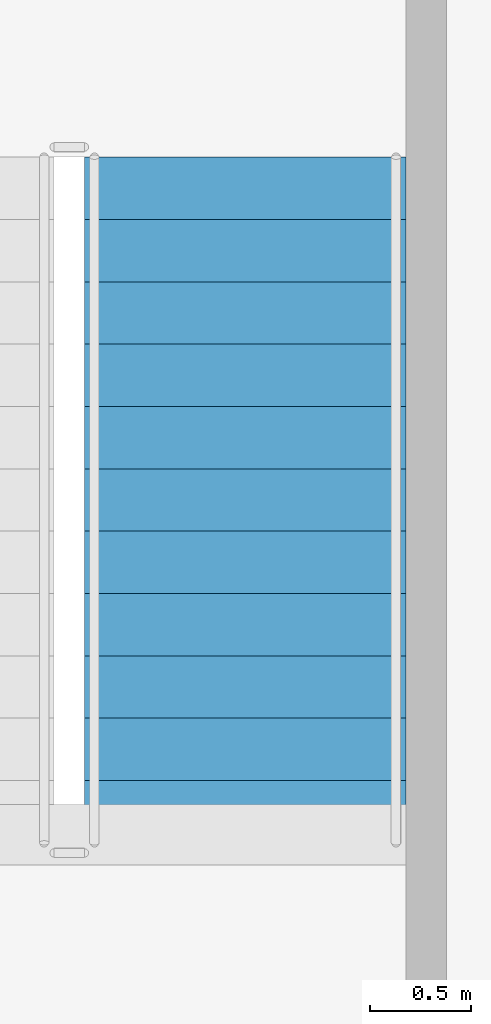
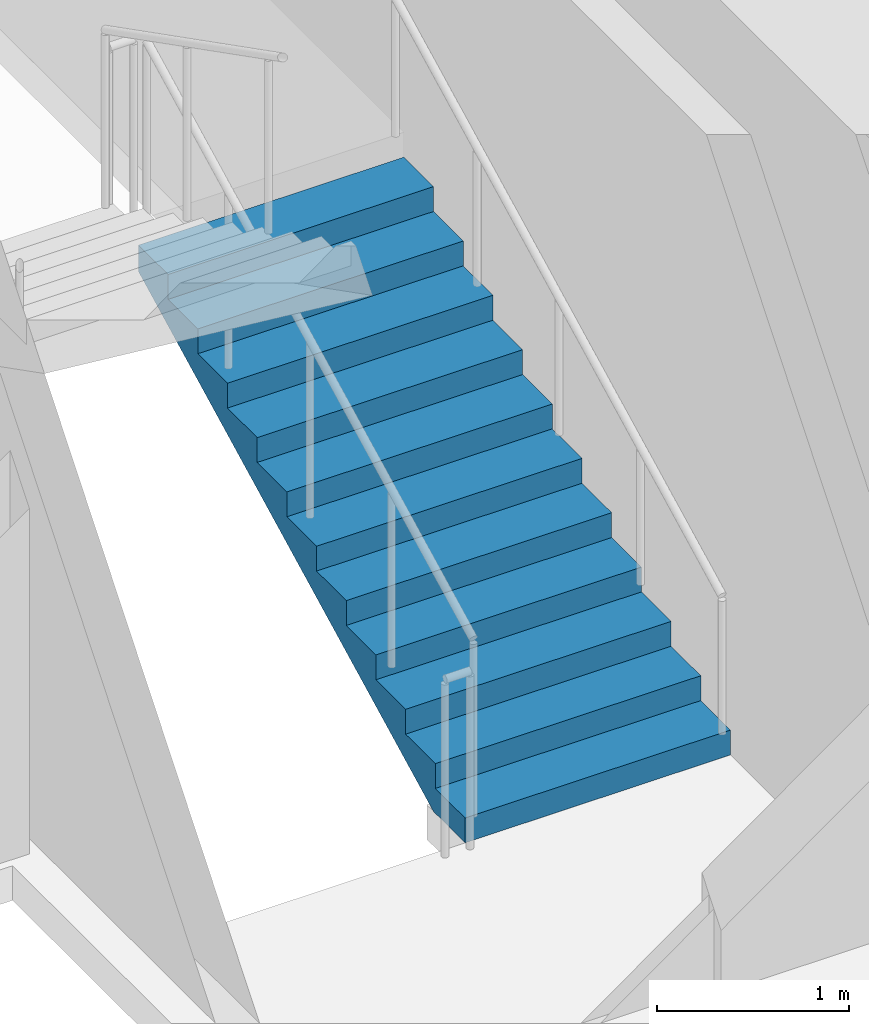
# One storey, part 10 of 14: 1 stair flight, 1 element without a shape of its own.
"""IFC4 building model written with IfcOpenShell, lengths in metres."""

from ifc_helpers import new_model, si_unit, direction, frame, origin, place, context, subcontext, project, spatial, polyline, outline, extrude, material, type_object, element, aggregate, save


model = new_model("IFC4")

# Units and contexts
model_context = context("Model", 3, precision=1e-05, world=origin(), true_north=direction((0.0, 1.0)))
body_context = subcontext(model_context, "Body", "Model", "MODEL_VIEW")
ifc_project = project(units=[si_unit("LENGTHUNIT", "METRE"), si_unit("AREAUNIT", "SQUARE_METRE"), si_unit("VOLUMEUNIT", "CUBIC_METRE"), si_unit("PLANEANGLEUNIT", "RADIAN"), si_unit("MASSUNIT", "GRAM", prefix="KILO")], contexts=[model_context])

# Site, building, storey
site_placement = place(None, origin())
site = spatial("IfcSite", under=ifc_project, at=site_placement, CompositionType="ELEMENT")
building_placement = place(site_placement, origin())
building = spatial("IfcBuilding", under=site, at=building_placement, Name="Vaeldorn Concourse Tower", CompositionType="ELEMENT")
storey_placement = place(building_placement, frame((0.0, 0.0, 133.800048828125)))
storey = spatial("IfcBuildingStorey", under=building, at=storey_placement, Name="L34", CompositionType="ELEMENT", Elevation=133.800048828125)

# Stair, stair flight
ifc_material = material(Name="Precast concrete C40/50", Category="concrete")
stair_type = type_object("IfcStairType", Name="STR-DOG-24x158", PredefinedType="HALF_TURN_STAIR", material=ifc_material)
stair_placement = place(storey_placement, origin())
stair = element("IfcStair", 1, at=stair_placement, inside=storey, type_object=stair_type, Name="L34 East Core Exit Stair ST-2", PredefinedType="HALF_TURN_STAIR")
stair_flight_type = type_object("IfcStairFlightType", Name="STF-STR-12x158", PredefinedType="STRAIGHT", material=ifc_material)
stair_flight_placement = place(storey_placement, frame((52.14990234375, 41.60009765625, 0.0), z_axis=(0.0, 0.0, 1.0), x_axis=(0.0, 1.0, 0.0)))
stair_flight = element("IfcStairFlight", 2, at=stair_flight_placement, type_object=stair_flight_type, Name="ST-2 flight 1", NumberOfRisers=12, NumberOfTreads=11, PredefinedType="STRAIGHT", RiserHeight=0.158333333, TreadLength=0.31, context=body_context, shape_type="SweptSolid", body=[
    extrude(outline(polyline([(0.0, 0.0), (0.0, 0.158447265625), (0.31005859375, 0.158447265625), (0.31005859375, 0.316650390625), (0.6201171875, 0.316650390625), (0.6201171875, 0.47509765625), (0.929931640625, 0.47509765625), (0.929931640625, 0.63330078125), (1.239990234375, 0.63330078125), (1.239990234375, 0.791748046875), (1.550048828125, 0.791748046875), (1.550048828125, 0.949951171875), (1.860107421875, 0.949951171875), (1.860107421875, 1.1083984375), (2.169921875, 1.1083984375), (2.169921875, 1.2666015625), (2.47998046875, 1.2666015625), (2.47998046875, 1.425048828125), (2.7900390625, 1.425048828125), (2.7900390625, 1.583251953125), (3.10009765625, 1.583251953125), (3.10009765625, 1.74169921875), (3.409912109375, 1.74169921875), (3.409912109375, 1.89990234375), (3.409912109375, 1.5732421875), (0.32958984375, 0.0), (0.0, 0.0)])), frame((0.0, 0.800048828125, 0.0), z_axis=(0.0, -1.0, 0.0), x_axis=(1.0, 0.0, 0.0)), (0.0, 0.0, 1.0), 1.60009765625),
])
aggregate(stair, [stair_flight])

save(model, "model.ifc")
